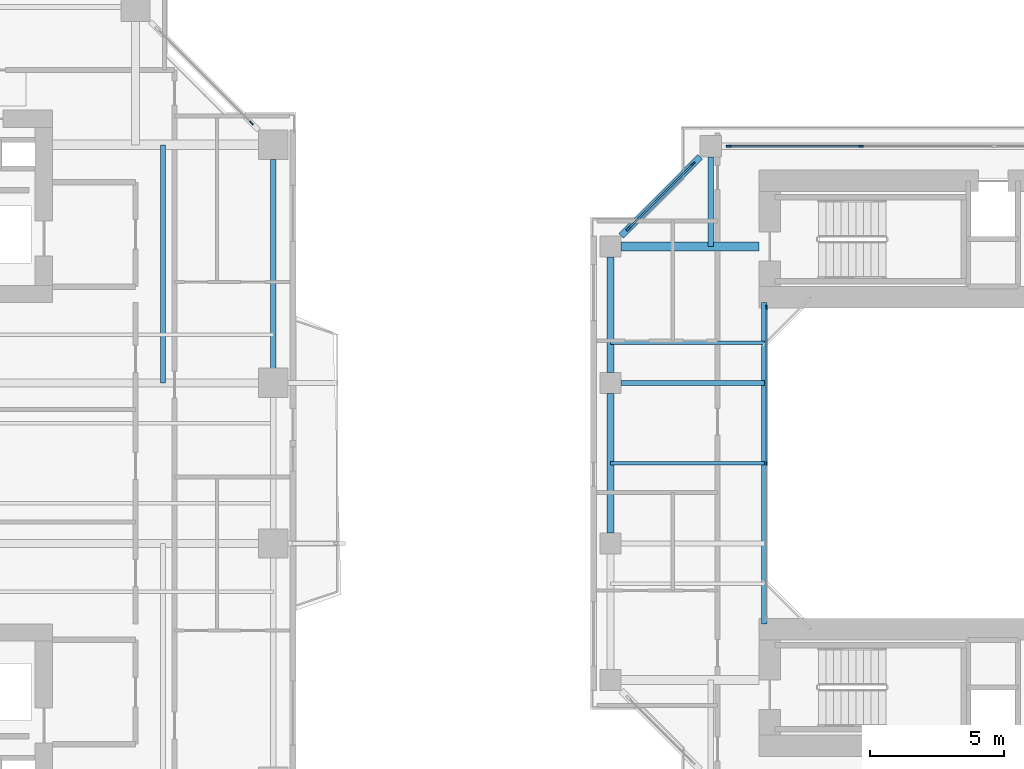
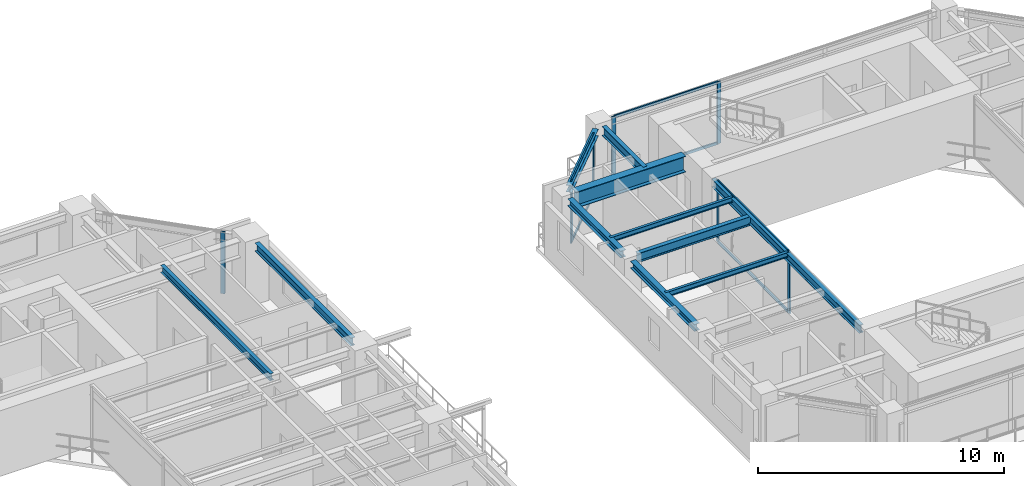
# One storey, part 9 of 24: 13 members, 11 beams, 4 elements without a shape of their own.
"""IFC4 building model written with IfcOpenShell, lengths in metres."""

from ifc_helpers import new_model, si_unit, direction, frame, origin, origin_2d, place, context, subcontext, project, spatial, rectangle, i_section, extrude, source, transform, mapped, material, layer, layer_set, material_profile, profile_set, type_object, element, aggregate, save


model = new_model("IFC4")

# Units and contexts
model_context = context("Model", 3, precision=1e-05, world=origin(), true_north=direction((0.0, 1.0)))
body_context = subcontext(model_context, "Body", "Model", "MODEL_VIEW")
ifc_project = project(units=[si_unit("LENGTHUNIT", "METRE"), si_unit("AREAUNIT", "SQUARE_METRE"), si_unit("VOLUMEUNIT", "CUBIC_METRE"), si_unit("PLANEANGLEUNIT", "RADIAN"), si_unit("MASSUNIT", "GRAM", prefix="KILO"), si_unit("THERMODYNAMICTEMPERATUREUNIT", "KELVIN"), si_unit("POWERUNIT", "WATT")], contexts=[model_context])

# Site, building, storey
site_placement = place(None, origin())
site = spatial("IfcSite", under=ifc_project, at=site_placement, CompositionType="ELEMENT")
building_placement = place(site_placement, origin())
building = spatial("IfcBuilding", under=site, at=building_placement, Name="Qiaomeng Ring Towers", CompositionType="ELEMENT")
storey_placement = place(building_placement, frame((0.0, 0.0, 106.75)))
storey = spatial("IfcBuildingStorey", under=building, at=storey_placement, Name="L30", CompositionType="ELEMENT", Elevation=106.75)

# Beams
ifc_material_1 = material(Name="Steel Q355B", Category="steel")
ifc_material_profile_1 = material_profile(ifc_material_1, i_section(OverallWidth=0.199951171875, OverallDepth=0.39990234375, WebThickness=0.008056640625, FlangeThickness=0.012939453125, FilletRadius=0.01611328125, at=origin_2d()), Name="HN 400x200x8x13")
ifc_profile_set_1 = profile_set([ifc_material_profile_1], Name="Steel Q355B")
beam_type_1 = type_object("IfcBeamType", Name="STR-BM-HN400", PredefinedType="SPANDREL", material=ifc_profile_set_1)
shared_shape_1 = source(origin(), body_context, "Body", "SweptSolid", [
    extrude(i_section(OverallWidth=0.199951171875, OverallDepth=0.39990234375, WebThickness=0.008056640625, FlangeThickness=0.012939453125, FilletRadius=0.01611328125, at=origin_2d()), origin(), (0.0, 0.0, 1.0), 12.0),
])
beam_1_placement = place(storey_placement, frame((54.39990234375, 17.0, 2.8701171875), z_axis=(0.0, 1.0, 0.0), x_axis=(-1.0, 0.0, 0.0)))
element("IfcBeam", 1, at=beam_1_placement, inside=storey, type_object=beam_type_1, Name="L30 beam STR-BM-L30-T2-WELL-W", PredefinedType="SPANDREL", context=body_context, shape_type="MappedRepresentation", body=[
    mapped(shared_shape_1, transform((0.0, 0.0, 0.0), x_axis=(1.0, 0.0, 0.0), y_axis=(0.0, 1.0, 0.0), z_axis=(0.0, 0.0, 1.0), scale=1.0)),
])
ifc_material_profile_2 = material_profile(ifc_material_1, i_section(OverallWidth=0.25, OverallDepth=0.340087890625, WebThickness=0.009033203125, FlangeThickness=0.013916015625, FilletRadius=0.02001953125, at=origin_2d()), Name="HM 340x250x9x14")
ifc_profile_set_2 = profile_set([ifc_material_profile_2], Name="Steel Q355B")
beam_type_2 = type_object("IfcBeamType", Name="STR-BM-HM340", PredefinedType="SPANDREL", material=ifc_profile_set_2)
shared_shape_2 = source(origin(), body_context, "Body", "SweptSolid", [
    extrude(i_section(OverallWidth=0.25, OverallDepth=0.340087890625, WebThickness=0.009033203125, FlangeThickness=0.013916015625, FilletRadius=0.02001953125, at=origin_2d()), origin(), (0.0, 0.0, 1.0), 4.173828125),
])
beam_2_placement = place(storey_placement, frame((52.000732421875, 34.45068359375, 2.89990234375), z_axis=(-0.707106781187, -0.707106781187, 0.0), x_axis=(0.707106781187, -0.707106781187, 0.0)))
element("IfcBeam", 2, at=beam_2_placement, inside=storey, type_object=beam_type_2, Name="L30 beam STR-SP-L30-T2-N1-W4", PredefinedType="SPANDREL", context=body_context, shape_type="MappedRepresentation", body=[
    mapped(shared_shape_2, transform((0.0, 0.0, 0.0), x_axis=(1.0, 0.0, 0.0), y_axis=(0.0, 1.0, 0.0), z_axis=(0.0, 0.0, 1.0), scale=1.0)),
])
shared_shape_3 = source(origin(), body_context, "Body", "SweptSolid", [
    extrude(i_section(OverallWidth=0.25, OverallDepth=0.340087890625, WebThickness=0.009033203125, FlangeThickness=0.013916015625, FilletRadius=0.02001953125, at=origin_2d()), origin(), (0.0, 0.0, 1.0), 4.302001953125),
])
beam_3_placement = place(storey_placement, frame((48.64990234375, 30.700927734375, 2.89990234375), z_axis=(0.0, -1.0, 0.0), x_axis=(1.0, 0.0, 0.0)))
element("IfcBeam", 3, at=beam_3_placement, inside=storey, type_object=beam_type_2, Name="L30 beam STR-SP-L30-T2-W4-W3", PredefinedType="SPANDREL", context=body_context, shape_type="MappedRepresentation", body=[
    mapped(shared_shape_3, transform((0.0, 0.0, 0.0), x_axis=(1.0, 0.0, 0.0), y_axis=(0.0, 1.0, 0.0), z_axis=(0.0, 0.0, 1.0), scale=1.0)),
])
shared_shape_4 = source(origin(), body_context, "Body", "SweptSolid", [
    extrude(i_section(OverallWidth=0.25, OverallDepth=0.340087890625, WebThickness=0.009033203125, FlangeThickness=0.013916015625, FilletRadius=0.02001953125, at=origin_2d()), origin(), (0.0, 0.0, 1.0), 5.2021484375),
])
beam_4_placement = place(storey_placement, frame((48.64990234375, 25.60107421875, 2.89990234375), z_axis=(0.0, -1.0, 0.0), x_axis=(1.0, 0.0, 0.0)))
element("IfcBeam", 4, at=beam_4_placement, inside=storey, type_object=beam_type_2, Name="L30 beam STR-SP-L30-T2-W3-W2", PredefinedType="SPANDREL", context=body_context, shape_type="MappedRepresentation", body=[
    mapped(shared_shape_4, transform((0.0, 0.0, 0.0), x_axis=(1.0, 0.0, 0.0), y_axis=(0.0, 1.0, 0.0), z_axis=(0.0, 0.0, 1.0), scale=1.0)),
])
ifc_material_2 = material(Name="Steel Q390GJC", Category="steel")
ifc_material_profile_3 = material_profile(ifc_material_2, i_section(OverallWidth=0.35009765625, OverallDepth=0.800048828125, WebThickness=0.01611328125, FlangeThickness=0.028076171875, at=origin_2d()), Name="WH 800x350x16x28")
ifc_profile_set_3 = profile_set([ifc_material_profile_3], Name="Steel Q390GJC")
beam_type_3 = type_object("IfcBeamType", Name="STR-BM-WH800", PredefinedType="BEAM", material=ifc_profile_set_3)
shared_shape_5 = source(origin(), body_context, "Body", "SweptSolid", [
    extrude(i_section(OverallWidth=0.35009765625, OverallDepth=0.800048828125, WebThickness=0.01611328125, FlangeThickness=0.028076171875, at=origin_2d()), origin(), (0.0, 0.0, 1.0), 5.15087890625),
])
beam_5_placement = place(storey_placement, frame((49.049072265625, 31.10009765625, 2.669921875), z_axis=(1.0, 0.0, 0.0), x_axis=(0.0, 1.0, 0.0)))
element("IfcBeam", 5, at=beam_5_placement, inside=storey, type_object=beam_type_3, Name="L30 beam STR-BM-L30-T2-RAD-W4", PredefinedType="BEAM", context=body_context, shape_type="MappedRepresentation", body=[
    mapped(shared_shape_5, transform((0.0, 0.0, 0.0), x_axis=(1.0, 0.0, 0.0), y_axis=(0.0, 1.0, 0.0), z_axis=(0.0, 0.0, 1.0), scale=1.0)),
])
ifc_material_profile_4 = material_profile(ifc_material_1, i_section(OverallWidth=0.199951171875, OverallDepth=0.449951171875, WebThickness=0.009033203125, FlangeThickness=0.013916015625, FilletRadius=0.01806640625, at=origin_2d()), Name="HN 450x200x9x14")
ifc_profile_set_4 = profile_set([ifc_material_profile_4], Name="Steel Q355B")
beam_type_4 = type_object("IfcBeamType", Name="STR-BM-HN450", PredefinedType="SPANDREL", material=ifc_profile_set_4)
shared_shape_6 = source(origin(), body_context, "Body", "SweptSolid", [
    extrude(i_section(OverallWidth=0.199951171875, OverallDepth=0.449951171875, WebThickness=0.009033203125, FlangeThickness=0.013916015625, FilletRadius=0.01806640625, at=origin_2d()), origin(), (0.0, 0.0, 1.0), 5.350830078125),
])
beam_6_placement = place(storey_placement, frame((49.049072265625, 26.0, 2.844970703125), z_axis=(1.0, 0.0, 0.0), x_axis=(0.0, 1.0, 0.0)))
element("IfcBeam", 6, at=beam_6_placement, inside=storey, type_object=beam_type_4, Name="L30 beam STR-BM-L30-T2-RAD-W3", PredefinedType="SPANDREL", context=body_context, shape_type="MappedRepresentation", body=[
    mapped(shared_shape_6, transform((0.0, 0.0, 0.0), x_axis=(1.0, 0.0, 0.0), y_axis=(0.0, 1.0, 0.0), z_axis=(0.0, 0.0, 1.0), scale=1.0)),
])
shared_shape_7 = source(origin(), body_context, "Body", "SweptSolid", [
    extrude(i_section(OverallWidth=0.199951171875, OverallDepth=0.449951171875, WebThickness=0.009033203125, FlangeThickness=0.013916015625, FilletRadius=0.01806640625, at=origin_2d()), origin(), (0.0, 0.0, 1.0), 3.350830078125),
])
beam_7_placement = place(storey_placement, frame((52.39990234375, 34.450927734375, 2.844970703125), z_axis=(0.0, -1.0, 0.0), x_axis=(1.0, 0.0, 0.0)))
element("IfcBeam", 7, at=beam_7_placement, inside=storey, type_object=beam_type_4, Name="L30 beam STR-BM-L30-T2-RAD-N1", PredefinedType="SPANDREL", context=body_context, shape_type="MappedRepresentation", body=[
    mapped(shared_shape_7, transform((0.0, 0.0, 0.0), x_axis=(1.0, 0.0, 0.0), y_axis=(0.0, 1.0, 0.0), z_axis=(0.0, 0.0, 1.0), scale=1.0)),
])
ifc_material_profile_5 = material_profile(ifc_material_1, i_section(OverallWidth=0.125, OverallDepth=0.25, WebThickness=0.006103515625, FlangeThickness=0.009033203125, FilletRadius=0.011962890625, at=origin_2d()), Name="HN 250x125x6x9")
ifc_profile_set_5 = profile_set([ifc_material_profile_5], Name="Steel Q355B")
beam_type_5 = type_object("IfcBeamType", Name="STR-BM-HN250", PredefinedType="JOIST", material=ifc_profile_set_5)
shared_shape_8 = source(origin(), body_context, "Body", "SweptSolid", [
    extrude(i_section(OverallWidth=0.125, OverallDepth=0.25, WebThickness=0.006103515625, FlangeThickness=0.009033203125, FilletRadius=0.011962890625, at=origin_2d()), origin(), (0.0, 0.0, 1.0), 5.75),
])
for number, where, z_axis, x_axis, name in (
    (8, (48.64990234375, 23.0, 2.945068359375), (1.0, 0.0, 0.0), (0.0, 1.0, 0.0), "L30 beam STR-JST-L30-T2W-2"),
    (9, (48.64990234375, 27.5, 2.945068359375), (1.0, 0.0, 0.0), (0.0, 1.0, 0.0), "L30 beam STR-JST-L30-T2W-3"),
):
    element("IfcBeam", number, at=place(storey_placement, frame(where, z_axis=z_axis, x_axis=x_axis)), inside=storey, type_object=beam_type_5, Name=name, PredefinedType="JOIST", context=body_context, shape_type="MappedRepresentation", body=[
        mapped(shared_shape_8, transform((0.0, 0.0, 0.0), x_axis=(1.0, 0.0, 0.0), y_axis=(0.0, 1.0, 0.0), z_axis=(0.0, 0.0, 1.0), scale=1.0)),
    ])
shared_shape_9 = source(origin(), body_context, "Body", "SweptSolid", [
    extrude(i_section(OverallWidth=0.199951171875, OverallDepth=0.39990234375, WebThickness=0.008056640625, FlangeThickness=0.012939453125, FilletRadius=0.01611328125, at=origin_2d()), origin(), (0.0, 0.0, 1.0), 7.802001953125),
])
beam_8_placement = place(storey_placement, frame((36.050048828125, 26.549072265625, 2.8701171875), z_axis=(0.0, 1.0, 0.0), x_axis=(-1.0, 0.0, 0.0)))
element("IfcBeam", 10, at=beam_8_placement, inside=storey, type_object=beam_type_1, Name="L30 beam STR-SP-L30-T1-E3-E4", PredefinedType="SPANDREL", context=body_context, shape_type="MappedRepresentation", body=[
    mapped(shared_shape_9, transform((0.0, 0.0, 0.0), x_axis=(1.0, 0.0, 0.0), y_axis=(0.0, 1.0, 0.0), z_axis=(0.0, 0.0, 1.0), scale=1.0)),
])
ifc_material_profile_6 = material_profile(ifc_material_1, i_section(OverallWidth=0.175048828125, OverallDepth=0.35009765625, WebThickness=0.007080078125, FlangeThickness=0.010986328125, FilletRadius=0.013916015625, at=origin_2d()), Name="HN 350x175x7x11")
ifc_profile_set_6 = profile_set([ifc_material_profile_6], Name="Steel Q355B")
beam_type_6 = type_object("IfcBeamType", Name="STR-BM-HN350", PredefinedType="JOIST", material=ifc_profile_set_6)
shared_shape_10 = source(origin(), body_context, "Body", "SweptSolid", [
    extrude(i_section(OverallWidth=0.175048828125, OverallDepth=0.35009765625, WebThickness=0.007080078125, FlangeThickness=0.010986328125, FilletRadius=0.013916015625, at=origin_2d()), origin(), (0.0, 0.0, 1.0), 8.89990234375),
])
beam_9_placement = place(storey_placement, frame((31.925048828125, 26.0, 2.89501953125), z_axis=(0.0, 1.0, 0.0), x_axis=(-1.0, 0.0, 0.0)))
element("IfcBeam", 11, at=beam_9_placement, inside=storey, type_object=beam_type_6, Name="L30 beam STR-JST-L30-T1C-EN", PredefinedType="JOIST", context=body_context, shape_type="MappedRepresentation", body=[
    mapped(shared_shape_10, transform((0.0, 0.0, 0.0), x_axis=(1.0, 0.0, 0.0), y_axis=(0.0, 1.0, 0.0), z_axis=(0.0, 0.0, 1.0), scale=1.0)),
])

# Curtain wall, members
ifc_material_3 = material(Name="Fluorocarbon dark-grey aluminium", Category="aluminium")
ifc_layer_1 = layer(ifc_material_3, 0.139892578125, Name="Fluorocarbon dark-grey aluminium")
ifc_layer_set_1 = layer_set([ifc_layer_1], Name="Fluorocarbon dark-grey aluminium")
curtain_wall_type_1 = type_object("IfcCurtainWallType", Name="ARC-CW-4", PredefinedType="NOTDEFINED", material=ifc_layer_set_1)
curtain_wall_1_placement = place(storey_placement, origin())
curtain_wall_1 = element("IfcCurtainWall", 12, at=curtain_wall_1_placement, inside=storey, type_object=curtain_wall_type_1, Name="L30 Curtain Wall CW4", PredefinedType="NOTDEFINED")
ifc_material_profile_7 = material_profile(ifc_material_3, rectangle(XDim=0.06494140625, YDim=0.159912109375, at=origin_2d()), Name="ALU MULL 65x160")
ifc_profile_set_7 = profile_set([ifc_material_profile_7], Name="Fluorocarbon dark-grey aluminium")
member_type_1 = type_object("IfcMemberType", Name="ARC-CWM-140", PredefinedType="MULLION", material=ifc_profile_set_7)
shared_shape_11 = source(origin(), body_context, "Body", "SweptSolid", [
    extrude(rectangle(XDim=0.06494140625, YDim=0.159912109375, at=origin_2d()), origin(), (0.0, 0.0, 1.0), 3.070068359375),
])
member_1_placement = place(storey_placement, frame((54.47998046875, 23.0, 0.0), z_axis=(0.0, 0.0, 1.0), x_axis=(-1.0, 0.0, 0.0)))
member_1 = element("IfcMember", 13, at=member_1_placement, type_object=member_type_1, Name="CW4 mullion 2", PredefinedType="MULLION", context=body_context, shape_type="MappedRepresentation", body=[
    mapped(shared_shape_11, transform((0.0, 0.0, 0.0), x_axis=(1.0, 0.0, 0.0), y_axis=(0.0, 1.0, 0.0), z_axis=(0.0, 0.0, 1.0), scale=1.0)),
])
member_2_placement = place(storey_placement, frame((54.47998046875, 28.8173828125, 0.0), z_axis=(0.0, 0.0, 1.0), x_axis=(-1.0, 0.0, 0.0)))
member_2 = element("IfcMember", 14, at=member_2_placement, type_object=member_type_1, Name="CW4 mullion 3", PredefinedType="MULLION", context=body_context, shape_type="MappedRepresentation", body=[
    mapped(shared_shape_11, transform((0.0, 0.0, 0.0), x_axis=(1.0, 0.0, 0.0), y_axis=(0.0, 1.0, 0.0), z_axis=(0.0, 0.0, 1.0), scale=1.0)),
])
ifc_material_profile_8 = material_profile(ifc_material_3, rectangle(XDim=0.06494140625, YDim=0.1298828125, at=origin_2d()), Name="ALU TRAN 65x130")
ifc_profile_set_8 = profile_set([ifc_material_profile_8], Name="Fluorocarbon dark-grey aluminium")
member_type_2 = type_object("IfcMemberType", Name="ARC-CWT-120", PredefinedType="USERDEFINED", material=ifc_profile_set_8)
shared_shape_12 = source(origin(), body_context, "Body", "SweptSolid", [
    extrude(rectangle(XDim=0.06494140625, YDim=0.1298828125, at=origin_2d()), origin(), (0.0, 0.0, 1.0), 5.75244140625),
])
member_3_placement = place(storey_placement, frame((54.47998046875, 23.032470703125, 0.032470703125), z_axis=(0.0, 1.0, 0.0), x_axis=(-1.0, 0.0, 0.0)))
member_3 = element("IfcMember", 15, at=member_3_placement, type_object=member_type_2, Name="CW4 transom 2.1", ObjectType="TRANSOM", PredefinedType="USERDEFINED", context=body_context, shape_type="MappedRepresentation", body=[
    mapped(shared_shape_12, transform((0.0, 0.0, 0.0), x_axis=(1.0, 0.0, 0.0), y_axis=(0.0, 1.0, 0.0), z_axis=(0.0, 0.0, 1.0), scale=1.0)),
])
member_4_placement = place(storey_placement, frame((54.47998046875, 23.032470703125, 3.03759765625), z_axis=(0.0, 1.0, 0.0), x_axis=(-1.0, 0.0, 0.0)))
member_4 = element("IfcMember", 16, at=member_4_placement, type_object=member_type_2, Name="CW4 transom 2.2", ObjectType="TRANSOM", PredefinedType="USERDEFINED", context=body_context, shape_type="MappedRepresentation", body=[
    mapped(shared_shape_12, transform((0.0, 0.0, 0.0), x_axis=(1.0, 0.0, 0.0), y_axis=(0.0, 1.0, 0.0), z_axis=(0.0, 0.0, 1.0), scale=1.0)),
])
aggregate(curtain_wall_1, [member_1, member_2, member_3, member_4])

# Curtain wall, member
ifc_layer_2 = layer(ifc_material_3, 0.14990234375, Name="Fluorocarbon dark-grey aluminium")
ifc_layer_set_2 = layer_set([ifc_layer_2], Name="Fluorocarbon dark-grey aluminium")
curtain_wall_type_2 = type_object("IfcCurtainWallType", Name="ARC-CW-3", PredefinedType="NOTDEFINED", material=ifc_layer_set_2)
curtain_wall_2_placement = place(storey_placement, origin())
curtain_wall_2 = element("IfcCurtainWall", 17, at=curtain_wall_2_placement, inside=storey, type_object=curtain_wall_type_2, Name="L30 Curtain Wall CW3", PredefinedType="NOTDEFINED")
ifc_material_profile_9 = material_profile(ifc_material_3, rectangle(XDim=0.070068359375, YDim=0.179931640625, at=origin_2d()), Name="ALU MULL 70x180")
ifc_profile_set_9 = profile_set([ifc_material_profile_9], Name="Fluorocarbon dark-grey aluminium")
member_type_3 = type_object("IfcMemberType", Name="ARC-CWM-160", PredefinedType="MULLION", material=ifc_profile_set_9)
shared_shape_13 = source(origin(), body_context, "Body", "SweptSolid", [
    extrude(rectangle(XDim=0.070068359375, YDim=0.179931640625, at=origin_2d()), origin(), (0.0, 0.0, 1.0), 3.070068359375),
])
member_5_placement = place(storey_placement, frame((35.2353515625, 35.71484375, 0.0), z_axis=(0.0, 0.0, 1.0), x_axis=(-0.707106781187, -0.707106781187, 0.0)))
member_5 = element("IfcMember", 18, at=member_5_placement, type_object=member_type_3, Name="CW3 mullion 1", PredefinedType="MULLION", context=body_context, shape_type="MappedRepresentation", body=[
    mapped(shared_shape_13, transform((0.0, 0.0, 0.0), x_axis=(1.0, 0.0, 0.0), y_axis=(0.0, 1.0, 0.0), z_axis=(0.0, 0.0, 1.0), scale=1.0)),
])
aggregate(curtain_wall_2, [member_5])

# Curtain wall, members
ifc_layer_3 = layer(ifc_material_3, 0.14990234375, Name="Fluorocarbon dark-grey aluminium")
ifc_layer_set_3 = layer_set([ifc_layer_3], Name="Fluorocarbon dark-grey aluminium")
curtain_wall_type_3 = type_object("IfcCurtainWallType", Name="ARC-CW-5", PredefinedType="NOTDEFINED", material=ifc_layer_set_3)
curtain_wall_3_placement = place(storey_placement, origin())
curtain_wall_3 = element("IfcCurtainWall", 19, at=curtain_wall_3_placement, inside=storey, type_object=curtain_wall_type_3, Name="L30 Curtain Wall CW5", PredefinedType="NOTDEFINED")
member_6_placement = place(storey_placement, frame((53.074951171875, 34.85009765625, 0.0), z_axis=(0.0, 0.0, 1.0), x_axis=(0.0, 1.0, 0.0)))
member_6 = element("IfcMember", 20, at=member_6_placement, type_object=member_type_3, Name="CW5 mullion 1", PredefinedType="MULLION", context=body_context, shape_type="MappedRepresentation", body=[
    mapped(shared_shape_13, transform((0.0, 0.0, 0.0), x_axis=(1.0, 0.0, 0.0), y_axis=(0.0, 1.0, 0.0), z_axis=(0.0, 0.0, 1.0), scale=1.0)),
])
member_7_placement = place(storey_placement, frame((58.013427734375, 34.85009765625, 0.0), z_axis=(0.0, 0.0, 1.0), x_axis=(0.0, 1.0, 0.0)))
member_7 = element("IfcMember", 21, at=member_7_placement, type_object=member_type_3, Name="CW5 mullion 2", PredefinedType="MULLION", context=body_context, shape_type="MappedRepresentation", body=[
    mapped(shared_shape_13, transform((0.0, 0.0, 0.0), x_axis=(1.0, 0.0, 0.0), y_axis=(0.0, 1.0, 0.0), z_axis=(0.0, 0.0, 1.0), scale=1.0)),
])

curtain_wall_4_placement = place(storey_placement, origin())
curtain_wall_4 = element("IfcCurtainWall", 22, at=curtain_wall_4_placement, inside=storey, type_object=curtain_wall_type_3, Name="L30 Curtain Wall CW5", PredefinedType="NOTDEFINED")
member_8_placement = place(storey_placement, frame((51.7353515625, 34.185302734375, 0.0), z_axis=(0.0, 0.0, 1.0), x_axis=(0.707106781187, -0.707106781187, 0.0)))
member_8 = element("IfcMember", 23, at=member_8_placement, type_object=member_type_3, Name="CW5 mullion 1", PredefinedType="MULLION", context=body_context, shape_type="MappedRepresentation", body=[
    mapped(shared_shape_13, transform((0.0, 0.0, 0.0), x_axis=(1.0, 0.0, 0.0), y_axis=(0.0, 1.0, 0.0), z_axis=(0.0, 0.0, 1.0), scale=1.0)),
])
member_9_placement = place(storey_placement, frame((49.314697265625, 31.7646484375, 0.0), z_axis=(0.0, 0.0, 1.0), x_axis=(0.707106781187, -0.707106781187, 0.0)))
member_9 = element("IfcMember", 24, at=member_9_placement, type_object=member_type_3, Name="CW5 mullion 2", PredefinedType="MULLION", context=body_context, shape_type="MappedRepresentation", body=[
    mapped(shared_shape_13, transform((0.0, 0.0, 0.0), x_axis=(1.0, 0.0, 0.0), y_axis=(0.0, 1.0, 0.0), z_axis=(0.0, 0.0, 1.0), scale=1.0)),
])

# Member
shared_shape_14 = source(origin(), body_context, "Body", "SweptSolid", [
    extrude(rectangle(XDim=0.06494140625, YDim=0.1298828125, at=origin_2d()), origin(), (0.0, 0.0, 1.0), 4.8681640625),
])
member_10_placement = place(storey_placement, frame((53.110107421875, 34.85009765625, 0.032470703125), z_axis=(1.0, 0.0, 0.0), x_axis=(0.0, 1.0, 0.0)))
member_10 = element("IfcMember", 25, at=member_10_placement, type_object=member_type_2, Name="CW5 transom 1.1", ObjectType="TRANSOM", PredefinedType="USERDEFINED", context=body_context, shape_type="MappedRepresentation", body=[
    mapped(shared_shape_14, transform((0.0, 0.0, 0.0), x_axis=(1.0, 0.0, 0.0), y_axis=(0.0, 1.0, 0.0), z_axis=(0.0, 0.0, 1.0), scale=1.0)),
])

member_11_placement = place(storey_placement, frame((53.110107421875, 34.85009765625, 3.03759765625), z_axis=(1.0, 0.0, 0.0), x_axis=(0.0, 1.0, 0.0)))
member_11 = element("IfcMember", 26, at=member_11_placement, type_object=member_type_2, Name="CW5 transom 1.2", ObjectType="TRANSOM", PredefinedType="USERDEFINED", context=body_context, shape_type="MappedRepresentation", body=[
    mapped(shared_shape_14, transform((0.0, 0.0, 0.0), x_axis=(1.0, 0.0, 0.0), y_axis=(0.0, 1.0, 0.0), z_axis=(0.0, 0.0, 1.0), scale=1.0)),
])

aggregate(curtain_wall_3, [member_6, member_7, member_10, member_11])

shared_shape_15 = source(origin(), body_context, "Body", "SweptSolid", [
    extrude(rectangle(XDim=0.06494140625, YDim=0.1298828125, at=origin_2d()), origin(), (0.0, 0.0, 1.0), 3.352783203125),
])
member_12_placement = place(storey_placement, frame((51.71044921875, 34.160400390625, 0.032470703125), z_axis=(-0.707106781187, -0.707106781187, 0.0), x_axis=(0.707106781187, -0.707106781187, 0.0)))
member_12 = element("IfcMember", 27, at=member_12_placement, type_object=member_type_2, Name="CW5 transom 1.1", ObjectType="TRANSOM", PredefinedType="USERDEFINED", context=body_context, shape_type="MappedRepresentation", body=[
    mapped(shared_shape_15, transform((0.0, 0.0, 0.0), x_axis=(1.0, 0.0, 0.0), y_axis=(0.0, 1.0, 0.0), z_axis=(0.0, 0.0, 1.0), scale=1.0)),
])

member_13_placement = place(storey_placement, frame((51.71044921875, 34.160400390625, 3.03759765625), z_axis=(-0.707106781187, -0.707106781187, 0.0), x_axis=(0.707106781187, -0.707106781187, 0.0)))
member_13 = element("IfcMember", 28, at=member_13_placement, type_object=member_type_2, Name="CW5 transom 1.2", ObjectType="TRANSOM", PredefinedType="USERDEFINED", context=body_context, shape_type="MappedRepresentation", body=[
    mapped(shared_shape_15, transform((0.0, 0.0, 0.0), x_axis=(1.0, 0.0, 0.0), y_axis=(0.0, 1.0, 0.0), z_axis=(0.0, 0.0, 1.0), scale=1.0)),
])

aggregate(curtain_wall_4, [member_8, member_9, member_12, member_13])

save(model, "model.ifc")
